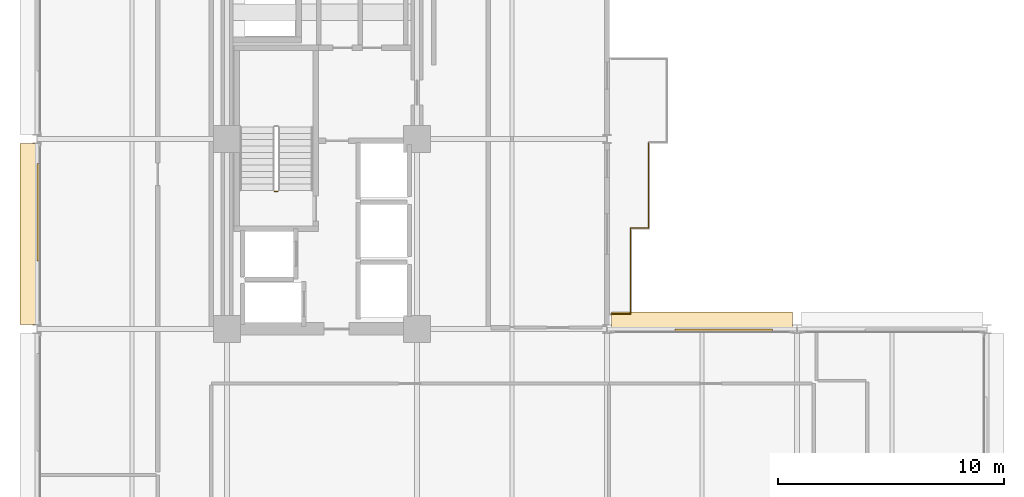
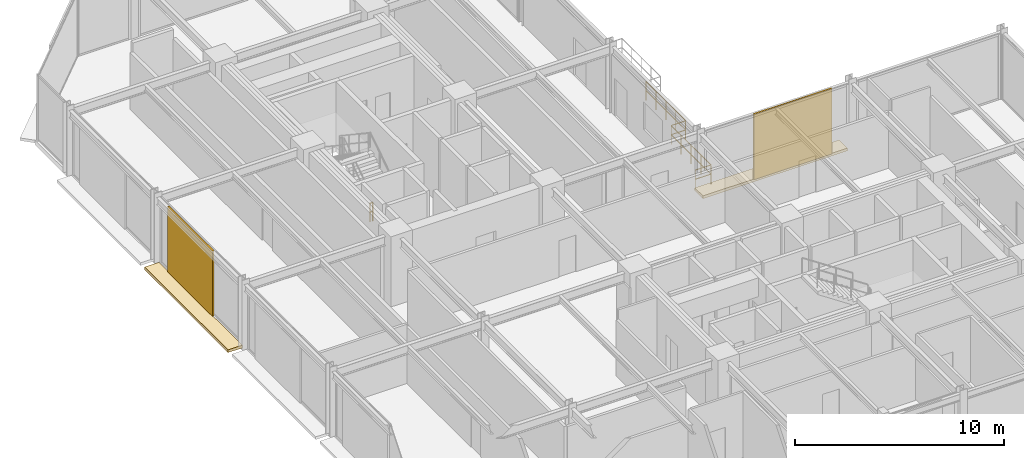
# One storey, part 28 of 30: 5 railings, 4 coverings.
"""IFC4 building model written with IfcOpenShell, lengths in metres."""

from ifc_helpers import new_model, si_unit, direction, frame, origin, origin_2d, place, context, subcontext, project, spatial, polyline, rectangle, circle, outline, extrude, material, layer, layer_set, type_object, element, save


model = new_model("IFC4")

# Units and contexts
model_context = context("Model", 3, precision=1e-05, world=origin(), true_north=direction((0.0, 1.0)))
body_context = subcontext(model_context, "Body", "Model", "MODEL_VIEW")
ifc_project = project(units=[si_unit("LENGTHUNIT", "METRE"), si_unit("AREAUNIT", "SQUARE_METRE"), si_unit("VOLUMEUNIT", "CUBIC_METRE"), si_unit("PLANEANGLEUNIT", "RADIAN"), si_unit("MASSUNIT", "GRAM", prefix="KILO")], contexts=[model_context])

# Site, building, storey
site_placement = place(None, origin())
site = spatial("IfcSite", under=ifc_project, at=site_placement, CompositionType="ELEMENT")
building_placement = place(site_placement, origin())
building = spatial("IfcBuilding", under=site, at=building_placement, Name="Nerrivon Quay Data Exchange", CompositionType="ELEMENT")
storey_placement = place(building_placement, frame((0.0, 0.0, 117.199951171875)))
storey = spatial("IfcBuildingStorey", under=building, at=storey_placement, Name="L27", CompositionType="ELEMENT", Elevation=117.199951171875)

# Coverings
ifc_material_1 = material(Name="Architectural terracotta ceramic", Category="masonry")
ifc_layer_1 = layer(ifc_material_1, 0.159912109375)
ifc_layer_set_1 = layer_set([ifc_layer_1], Name="Architectural terracotta ceramic")
covering_type_1 = type_object("IfcCoveringType", Name="COV-BLD-TERR", PredefinedType="CLADDING", material=ifc_layer_set_1)
covering_1_placement = place(storey_placement, frame((0.0, 0.0, -0.159912109375)))
element("IfcCovering", 1, at=covering_1_placement, inside=storey, type_object=covering_type_1, Name="L27 Horizontal Terracotta SOLAR SCREEN Blade", PredefinedType="CLADDING", context=body_context, shape_type="SweptSolid", body=[
    extrude(outline(polyline([(0.0400390625, 25.39990234375), (0.0400390625, 33.39990234375), (-0.75, 33.39990234375), (-0.75, 25.39990234375), (0.0400390625, 25.39990234375)])), origin(), (0.0, 0.0, 1.0), 0.159912109375),
])
covering_2_placement = place(storey_placement, frame((0.0, 0.0, -0.159912109375)))
element("IfcCovering", 2, at=covering_2_placement, inside=storey, type_object=covering_type_1, Name="L27 Horizontal Terracotta SOLAR SCREEN Blade", PredefinedType="CLADDING", context=body_context, shape_type="SweptSolid", body=[
    extrude(outline(polyline([(25.39990234375, 25.159912109375), (33.39990234375, 25.159912109375), (33.39990234375, 25.949951171875), (25.39990234375, 25.949951171875), (25.39990234375, 25.159912109375)])), origin(), (0.0, 0.0, 1.0), 0.159912109375),
])
ifc_layer_2 = layer(ifc_material_1, 0.090087890625)
ifc_layer_set_2 = layer_set([ifc_layer_2], Name="Architectural terracotta ceramic")
covering_type_2 = type_object("IfcCoveringType", Name="COV-SCR-TERR", PredefinedType="CLADDING", material=ifc_layer_set_2)
for number, where, z_axis, x_axis, name in (
    (3, (0.044921875, 30.360107421875, 0.0), (0.0, 0.0, 1.0), (0.0, 1.0, 0.0), "L27 Perforated Terracotta SOLAR SCREEN Cassette"),
    (4, (30.360107421875, 25.155029296875, 0.0), (0.0, 0.0, 1.0), (1.0, 0.0, 0.0), "L27 Perforated Terracotta SOLAR SCREEN Cassette"),
):
    element("IfcCovering", number, at=place(storey_placement, frame(where, z_axis=z_axis, x_axis=x_axis)), inside=storey, type_object=covering_type_2, Name=name, PredefinedType="CLADDING", context=body_context, shape_type="SweptSolid", body=[
        extrude(rectangle(XDim=4.320068359375, YDim=0.090087890625, at=origin_2d()), origin(), (0.0, 0.0, 1.0), 3.824951171875),
    ])

# Railings
ifc_material_2 = material(Name="Steel Grade C350L0 (350 MPa)", Category="steel")
railing_type_1 = type_object("IfcRailingType", Name="RAIL-GUARD-GR2", PredefinedType="BALUSTRADE", material=ifc_material_2)
railing_1_placement = place(storey_placement, frame((26.239990234375, 29.659912109375, 0.0)))
element("IfcRailing", 5, at=railing_1_placement, inside=storey, type_object=railing_type_1, Name="L27 Verandah Balcony Guard 1.1 1", PredefinedType="BALUSTRADE", context=body_context, shape_type="SweptSolid", body=[
    extrude(circle(Radius=0.02392578125, at=origin_2d()), frame((0.0, 0.0, 1.09619140625), z_axis=(0.0, -1.0, 0.0), x_axis=(1.0, 0.0, 0.0)), (0.0, 0.0, 1.0), 3.7998046875),
    extrude(circle(Radius=0.02392578125, at=origin_2d()), frame((0.0, 0.0, 0.56005859375), z_axis=(0.0, -1.0, 0.0), x_axis=(1.0, 0.0, 0.0)), (0.0, 0.0, 1.0), 3.7998046875),
    extrude(circle(Radius=0.02099609375, at=origin_2d()), origin(), (0.0, 0.0, 1.0), 1.072021484375),
    extrude(circle(Radius=0.02099609375, at=origin_2d()), frame((0.0, -0.949951171875, 0.0)), (0.0, 0.0, 1.0), 1.072021484375),
    extrude(circle(Radius=0.02099609375, at=origin_2d()), frame((0.0, -1.89990234375, 0.0)), (0.0, 0.0, 1.0), 1.072021484375),
    extrude(circle(Radius=0.02099609375, at=origin_2d()), frame((0.0, -2.849853515625, 0.0)), (0.0, 0.0, 1.0), 1.072021484375),
    extrude(circle(Radius=0.02099609375, at=origin_2d()), frame((0.0, -3.7998046875, 0.0)), (0.0, 0.0, 1.0), 1.072021484375),
])
railing_2_placement = place(storey_placement, frame((26.239990234375, 25.860107421875, 0.0)))
element("IfcRailing", 6, at=railing_2_placement, inside=storey, type_object=railing_type_1, Name="L27 Verandah Balcony Guard 1.2 1", PredefinedType="BALUSTRADE", context=body_context, shape_type="SweptSolid", body=[
    extrude(circle(Radius=0.02392578125, at=origin_2d()), frame((0.0, 0.0, 1.09619140625), z_axis=(-1.0, 0.0, 0.0), x_axis=(0.0, -1.0, 0.0)), (0.0, 0.0, 1.0), 0.860107421875),
    extrude(circle(Radius=0.02392578125, at=origin_2d()), frame((0.0, 0.0, 0.56005859375), z_axis=(-1.0, 0.0, 0.0), x_axis=(0.0, -1.0, 0.0)), (0.0, 0.0, 1.0), 0.860107421875),
    extrude(circle(Radius=0.02099609375, at=origin_2d()), origin(), (0.0, 0.0, 1.0), 1.072021484375),
    extrude(circle(Radius=0.02099609375, at=origin_2d()), frame((-0.860107421875, 0.0, 0.0)), (0.0, 0.0, 1.0), 1.072021484375),
])
railing_3_placement = place(storey_placement, frame((27.0400390625, 33.4599609375, 0.0)))
element("IfcRailing", 7, at=railing_3_placement, inside=storey, type_object=railing_type_1, Name="L27 Verandah Balcony Guard 1.6 1", PredefinedType="BALUSTRADE", context=body_context, shape_type="SweptSolid", body=[
    extrude(circle(Radius=0.02392578125, at=origin_2d()), frame((0.0, 0.0, 1.09619140625), z_axis=(0.0, -1.0, 0.0), x_axis=(1.0, 0.0, 0.0)), (0.0, 0.0, 1.0), 3.800048828125),
    extrude(circle(Radius=0.02392578125, at=origin_2d()), frame((0.0, 0.0, 0.56005859375), z_axis=(0.0, -1.0, 0.0), x_axis=(1.0, 0.0, 0.0)), (0.0, 0.0, 1.0), 3.800048828125),
    extrude(circle(Radius=0.02099609375, at=origin_2d()), origin(), (0.0, 0.0, 1.0), 1.072021484375),
    extrude(circle(Radius=0.02099609375, at=origin_2d()), frame((0.0, -0.949951171875, 0.0)), (0.0, 0.0, 1.0), 1.072021484375),
    extrude(circle(Radius=0.02099609375, at=origin_2d()), frame((0.0, -1.89990234375, 0.0)), (0.0, 0.0, 1.0), 1.072021484375),
    extrude(circle(Radius=0.02099609375, at=origin_2d()), frame((0.0, -2.85009765625, 0.0)), (0.0, 0.0, 1.0), 1.072021484375),
    extrude(circle(Radius=0.02099609375, at=origin_2d()), frame((0.0, -3.800048828125, 0.0)), (0.0, 0.0, 1.0), 1.072021484375),
])
railing_4_placement = place(storey_placement, frame((27.0400390625, 29.659912109375, 0.0)))
element("IfcRailing", 8, at=railing_4_placement, inside=storey, type_object=railing_type_1, Name="L27 Verandah Balcony Guard 1.7 1", PredefinedType="BALUSTRADE", context=body_context, shape_type="SweptSolid", body=[
    extrude(circle(Radius=0.02392578125, at=origin_2d()), frame((0.0, 0.0, 1.09619140625), z_axis=(-1.0, 0.0, 0.0), x_axis=(0.0, -1.0, 0.0)), (0.0, 0.0, 1.0), 0.800048828125),
    extrude(circle(Radius=0.02392578125, at=origin_2d()), frame((0.0, 0.0, 0.56005859375), z_axis=(-1.0, 0.0, 0.0), x_axis=(0.0, -1.0, 0.0)), (0.0, 0.0, 1.0), 0.800048828125),
    extrude(circle(Radius=0.02099609375, at=origin_2d()), origin(), (0.0, 0.0, 1.0), 1.072021484375),
    extrude(circle(Radius=0.02099609375, at=origin_2d()), frame((-0.800048828125, 0.0, 0.0)), (0.0, 0.0, 1.0), 1.072021484375),
])
railing_type_2 = type_object("IfcRailingType", Name="RAIL-STAIR-GR1", PredefinedType="BALUSTRADE", material=ifc_material_2)
railing_5_placement = place(storey_placement, frame((10.64990234375, 31.280029296875, 0.0)))
element("IfcRailing", 9, at=railing_5_placement, inside=storey, type_object=railing_type_2, Name="L27 ST01 stair guard 4", PredefinedType="BALUSTRADE", context=body_context, shape_type="SweptSolid", body=[
    extrude(circle(Radius=0.02392578125, at=origin_2d()), frame((0.0, 0.0, 1.076171875), z_axis=(-1.0, 0.0, 0.0), x_axis=(0.0, -1.0, 0.0)), (0.0, 0.0, 1.0), 0.14990234375),
    extrude(circle(Radius=0.02392578125, at=origin_2d()), frame((0.0, 0.0, 0.550048828125), z_axis=(-1.0, 0.0, 0.0), x_axis=(0.0, -1.0, 0.0)), (0.0, 0.0, 1.0), 0.14990234375),
    extrude(circle(Radius=0.02099609375, at=origin_2d()), origin(), (0.0, 0.0, 1.0), 1.052001953125),
    extrude(circle(Radius=0.02099609375, at=origin_2d()), frame((-0.14990234375, 0.0, 0.0)), (0.0, 0.0, 1.0), 1.052001953125),
])

save(model, "model.ifc")
